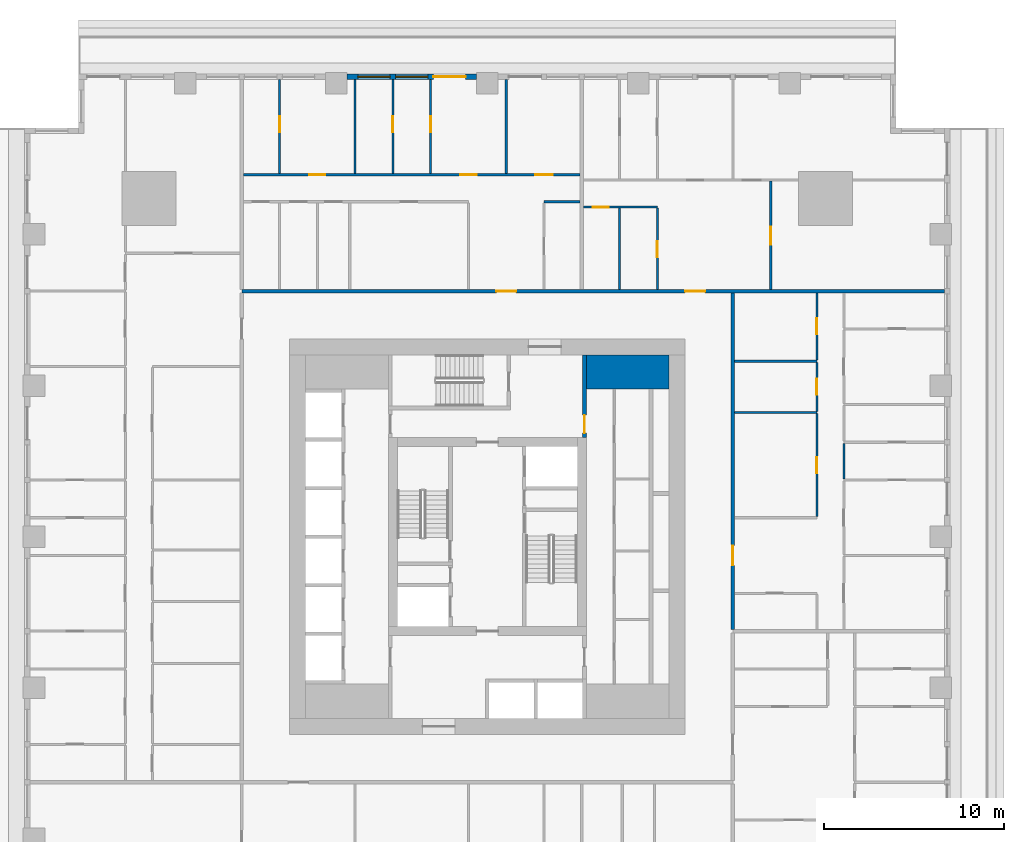
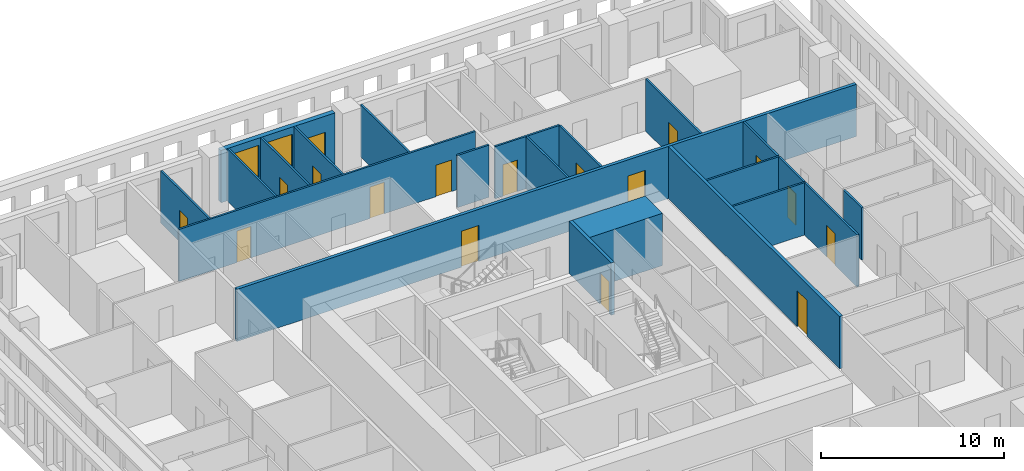
# One storey, part 8 of 15: 22 walls, 17 doors, 2 windows, 19 openings.
"""IFC4 building model written with IfcOpenShell, lengths in metres."""

import ifcopenshell
import ifcopenshell.guid

model = None  # the IFC model being written
_history = None  # IfcOwnerHistory: only IFC2X3 demands one
_inside = {}  # id of a spatial element -> (the spatial element, [elements in it])
_under = {}  # id of a project, library or spatial element -> (it, [spatial elements below it])
_declared = {}  # id of a project -> (the project, [libraries it declares])
_typed = {}  # id of a type object -> (the type object, [elements of that type])
_made_of = {}  # id of a material, layer set ... -> (it, [elements and type objects made of it])


def new_model(schema):
    """Start an empty IFC model of exactly this schema.

    Asked for "IFC4X3", IfcOpenShell would pick the latest addendum, in which some entities
    have other attributes; the version numbers below select the first issue.
    IFC2X3 requires an IfcOwnerHistory on every rooted entity: one is made here for all.
    """
    global model, _history
    if schema == "IFC4X3":
        model = ifcopenshell.file(schema_version=(4, 3, 0, 0))
    else:
        model = ifcopenshell.file(schema=schema)
    _inside.clear()
    _under.clear()
    _declared.clear()
    _typed.clear()
    _made_of.clear()
    _history = None
    if model.schema == "IFC2X3":
        org = make("IfcOrganization", Name="unknown")
        user = make(
            "IfcPersonAndOrganization",
            ThePerson=make("IfcPerson", FamilyName="unknown"),
            TheOrganization=org,
        )
        app = make(
            "IfcApplication",
            ApplicationDeveloper=org,
            Version="unknown",
            ApplicationFullName="unknown",
            ApplicationIdentifier="unknown",
        )
        _history = make(
            "IfcOwnerHistory",
            OwningUser=user,
            OwningApplication=app,
            ChangeAction="ADDED",
            CreationDate=0,
        )
    return model


def make(cls, **values):
    """One entity of the class cls with the attributes given. An attribute that is None is left unset."""
    return model.create_entity(
        cls, **{name: value for name, value in values.items() if value is not None}
    )


def rooted(cls, **values):
    """An entity with a GlobalId (a new one), such as an element, a storey or a relation."""
    return make(cls, GlobalId=ifcopenshell.guid.new(), OwnerHistory=_history, **values)


def si_unit(unit_type, name, prefix=None):
    """IfcSIUnit, for example si_unit("LENGTHUNIT", "METRE", prefix="MILLI")."""
    return make("IfcSIUnit", UnitType=unit_type, Prefix=prefix, Name=name)


def assignment(units):
    """IfcUnitAssignment: the units of a project."""
    return None if units is None else make("IfcUnitAssignment", Units=units)


def point(xyz):
    """IfcCartesianPoint."""
    return None if xyz is None else make("IfcCartesianPoint", Coordinates=xyz)


def direction(xyz):
    """IfcDirection."""
    return None if xyz is None else make("IfcDirection", DirectionRatios=xyz)


def frame(location, z_axis=None, x_axis=None):
    """IfcAxis2Placement3D, a coordinate frame: its origin and axes. An axis left out is left unset."""
    return make(
        "IfcAxis2Placement3D",
        Location=point(location),
        Axis=direction(z_axis),
        RefDirection=direction(x_axis),
    )


def frame_2d(location, x_axis=None):
    """IfcAxis2Placement2D, a coordinate frame in the plane: its origin and x axis."""
    return make(
        "IfcAxis2Placement2D", Location=point(location), RefDirection=direction(x_axis)
    )


def origin():
    """The frame at (0, 0, 0) with its axes left unset."""
    return frame((0.0, 0.0, 0.0))


def place(relative_to, where):
    """IfcLocalPlacement: puts the frame where relative to a parent placement (None: the world)."""
    return make(
        "IfcLocalPlacement", PlacementRelTo=relative_to, RelativePlacement=where
    )


def context(
    kind, dimensions, precision=None, world=None, true_north=None, identifier=None
):
    """IfcGeometricRepresentationContext, for example the 3D "Model" context."""
    return make(
        "IfcGeometricRepresentationContext",
        ContextIdentifier=identifier,
        ContextType=kind,
        CoordinateSpaceDimension=dimensions,
        Precision=precision,
        WorldCoordinateSystem=world,
        TrueNorth=true_north,
    )


def subcontext(parent, identifier, kind, view, scale=None):
    """IfcGeometricRepresentationSubContext, for example "Body" below "Model"."""
    return make(
        "IfcGeometricRepresentationSubContext",
        ContextIdentifier=identifier,
        ContextType=kind,
        ParentContext=parent,
        TargetScale=scale,
        TargetView=view,
    )


def project(units=None, contexts=None):
    """IfcProject with its units and contexts."""
    return rooted(
        "IfcProject",
        Name="project",
        RepresentationContexts=contexts,
        UnitsInContext=assignment(units),
    )


def spatial(cls, under=None, at=None, **own):
    """A site, building, storey or space (cls), placed at a placement, below another one or the project."""
    s = rooted(cls, ObjectPlacement=at, **own)
    if under is not None:
        _under.setdefault(under.id(), (under, []))[1].append(s)
    return s


def profile(cls, at=None, kind="AREA", **sizes):
    """A parametric profile (cls). Its sizes go by their IFC names, for example OverallWidth=200.0."""
    return make(cls, ProfileType=kind, Position=at, **sizes)


def rectangle(**sizes):
    """IfcRectangleProfileDef."""
    return profile("IfcRectangleProfileDef", **sizes)


def extrude(swept, where, along, depth):
    """IfcExtrudedAreaSolid: the profile swept, set in the frame where, extruded along a direction by depth."""
    return make(
        "IfcExtrudedAreaSolid",
        SweptArea=swept,
        Position=where,
        ExtrudedDirection=direction(along),
        Depth=depth,
    )


def shape(context_of_items, identifier, shape_type, items):
    """IfcShapeRepresentation: the items that make up one representation, for example the "Body"."""
    return make(
        "IfcShapeRepresentation",
        ContextOfItems=context_of_items,
        RepresentationIdentifier=identifier,
        RepresentationType=shape_type,
        Items=items,
    )


def material(Name=None, Category=None):
    """IfcMaterial."""
    return make("IfcMaterial", Name=Name, Category=Category)


def layer(
    of_material, thickness, ventilated=None, Name=None, Category=None, Priority=None
):
    """IfcMaterialLayer: one layer of a wall or slab, of a material (None: an air gap)."""
    return make(
        "IfcMaterialLayer",
        Material=of_material,
        LayerThickness=thickness,
        IsVentilated=ventilated,
        Name=Name,
        Category=Category,
        Priority=Priority,
    )


def layer_set(layers, Name=None):
    """IfcMaterialLayerSet."""
    return make("IfcMaterialLayerSet", MaterialLayers=layers, LayerSetName=Name)


def made_of(thing, what):
    """Note that an element or type object is made of a material, layer set ...; save() writes the relation."""
    if what is not None:
        _made_of.setdefault(what.id(), (what, []))[1].append(thing)
    return thing


def type_object(cls, material=None, **own):
    """A type object (cls), such as IfcWallType, which elements share."""
    return made_of(rooted(cls, **own), material)


def element(
    cls,
    number,
    at=None,
    inside=None,
    cuts=None,
    type_object=None,
    material=None,
    context=None,
    identifier="Body",
    shape_type=None,
    held_by="IfcProductDefinitionShape",
    body=None,
    shapes=None,
    **own,
):
    """One element of the class cls, such as IfcWall. Its Tag is "e" and its number.

    at: its placement. inside: the storey or other place that contains it. cuts: it is an
    opening in that element (IfcRelVoidsElement). A single representation is given by context,
    identifier, shape_type and body (its items); several are given by shapes. held_by: the class
    of the entity that holds the representations. save() writes the other relations.
    """
    e = rooted(cls, Tag="e%d" % number, ObjectPlacement=at, **own)
    if body is not None:
        shapes = [shape(context, identifier, shape_type, body)]
    if shapes is not None:
        e.Representation = make(held_by, Representations=shapes)
    if inside is not None:
        _inside.setdefault(inside.id(), (inside, []))[1].append(e)
    if cuts is not None:
        rooted(
            "IfcRelVoidsElement", RelatingBuildingElement=cuts, RelatedOpeningElement=e
        )
    if type_object is not None:
        _typed.setdefault(type_object.id(), (type_object, []))[1].append(e)
    return made_of(e, material)


def fill(opening, filler):
    """IfcRelFillsElement: the door or window that sits in an opening."""
    return rooted(
        "IfcRelFillsElement",
        RelatingOpeningElement=opening,
        RelatedBuildingElement=filler,
    )


def aggregate(whole, parts):
    """IfcRelAggregates: a whole, such as a stair, and the parts it consists of."""
    return rooted("IfcRelAggregates", RelatingObject=whole, RelatedObjects=parts)


def save(model, path):
    """Write the relations noted so far, then the file.

    IfcRelAggregates (storeys below a building ...), IfcRelContainedInSpatialStructure (elements
    in a storey), IfcRelDefinesByType, IfcRelAssociatesMaterial and IfcRelDeclares: one each for
    every whole, place, type object, material and project.
    """
    for whole, parts in _under.values():
        aggregate(whole, parts)
    for where, things in _inside.values():
        rooted(
            "IfcRelContainedInSpatialStructure",
            RelatedElements=things,
            RelatingStructure=where,
        )
    for kind, things in _typed.values():
        rooted("IfcRelDefinesByType", RelatedObjects=things, RelatingType=kind)
    for what, things in _made_of.values():
        rooted("IfcRelAssociatesMaterial", RelatedObjects=things, RelatingMaterial=what)
    for by, libraries in _declared.values():
        rooted("IfcRelDeclares", RelatingContext=by, RelatedDefinitions=libraries)
    model.write(path)


model = new_model("IFC4")

# Units and contexts
model_context = context("Model", 3, precision=1e-05, world=origin(), true_north=direction((0.0, 1.0)))
body_context = subcontext(model_context, "Body", "Model", "MODEL_VIEW")
ifc_project = project(units=[si_unit("LENGTHUNIT", "METRE"), si_unit("AREAUNIT", "SQUARE_METRE"), si_unit("VOLUMEUNIT", "CUBIC_METRE"), si_unit("PLANEANGLEUNIT", "RADIAN"), si_unit("MASSUNIT", "GRAM", prefix="KILO")], contexts=[model_context])

# Site, building, storey
site_placement = place(None, origin())
site = spatial("IfcSite", under=ifc_project, at=site_placement, CompositionType="ELEMENT")
building_placement = place(site_placement, origin())
building = spatial("IfcBuilding", under=site, at=building_placement, Name="Khepri Terraces", CompositionType="ELEMENT")
storey_placement = place(building_placement, frame((0.0, 0.0, 34.800048828125)))
storey = spatial("IfcBuildingStorey", under=building, at=storey_placement, Name="L07", CompositionType="ELEMENT", Elevation=34.800048828125)

# Wall
ifc_material_1 = material(Name="Concrete C80/95", Category="concrete")
ifc_layer_1 = layer(ifc_material_1, 1.89990234375, Name="Concrete C80/95", Category="concrete")
ifc_layer_set_1 = layer_set([ifc_layer_1], Name="Concrete C80/95")
wall_type_1 = type_object("IfcWallType", Name="Core wall 1900 C80/95", PredefinedType="SHEAR", material=ifc_layer_set_1)
wall_1_placement = place(storey_placement, frame((5.5, 9.14990234375, 0.0), z_axis=(0.0, 0.0, 1.0), x_axis=(1.0, 0.0, 0.0)))
element("IfcWall", 1, at=wall_1_placement, inside=storey, type_object=wall_type_1, Name="Core wall PR04 L07", PredefinedType="SHEAR", context=body_context, shape_type="SweptSolid", body=[
    extrude(rectangle(XDim=4.60009765625, YDim=1.89990234375, at=frame_2d((2.300048828125, 0.0))), origin(), (0.0, 0.0, 1.0), 3.47998046875),
])

# Wall, opening, door
ifc_material_2 = material(Name="Fire-rated gypsum board partition")
ifc_layer_2 = layer(ifc_material_2, 0.199951171875, Name="Fire-rated gypsum board partition")
ifc_layer_set_2 = layer_set([ifc_layer_2], Name="Fire-rated gypsum board partition")
wall_type_2 = type_object("IfcWallType", Name="WL-CORE-PART-200", PredefinedType="PARTITIONING", material=ifc_layer_set_2)
wall_2_placement = place(storey_placement, frame((5.39990234375, 5.5, 0.0), z_axis=(0.0, 0.0, 1.0), x_axis=(0.0, 1.0, 0.0)))
wall_2 = element("IfcWall", 2, at=wall_2_placement, inside=storey, type_object=wall_type_2, Name="Core partition PT08 L07", PredefinedType="PARTITIONING", context=body_context, shape_type="SweptSolid", body=[
    extrude(rectangle(XDim=4.60009765625, YDim=0.199951171875, at=frame_2d((2.300048828125, 0.0))), origin(), (0.0, 0.0, 1.0), 3.47998046875),
])
opening_1_placement = place(wall_2_placement, frame((0.25, 0.0, 0.0)))
opening_1 = element("IfcOpeningElement", 3, at=opening_1_placement, cuts=wall_2, Name="Opening L07-C17", PredefinedType="OPENING", context=body_context, shape_type="SweptSolid", body=[
    extrude(rectangle(XDim=1.0, YDim=2.10009765625, at=frame_2d((0.5, 1.050048828125))), frame((0.0, 0.10986328125, 0.0), z_axis=(0.0, -1.0, 0.0), x_axis=(1.0, 0.0, 0.0)), (0.0, 0.0, 1.0), 0.219970703125),
])
ifc_material_3 = material(Name="Painted steel", Category="steel")
door_type_1 = type_object("IfcDoorType", Name="DR-CORE-LOBBY-1000", OperationType="NOTDEFINED", PredefinedType="DOOR", material=ifc_material_3)
door_1_placement = place(opening_1_placement, origin())
door_1 = element("IfcDoor", 4, at=door_1_placement, inside=storey, type_object=door_type_1, Name="Lobby door L07-C17", OperationType="SINGLE_SWING_LEFT", OverallHeight=2.10009765625, OverallWidth=1.0, PredefinedType="DOOR", context=body_context, shape_type="SweptSolid", body=[
    extrude(rectangle(XDim=1.0, YDim=2.10009765625, at=frame_2d((0.5, 1.050048828125))), frame((0.0, 0.02490234375, 0.0), z_axis=(0.0, -1.0, 0.0), x_axis=(1.0, 0.0, 0.0)), (0.0, 0.0, 1.0), 0.050048828125),
])
fill(opening_1, door_1)

ifc_material_4 = material(Name="Fire-rated gypsum plasterboard partition, mineral wool")
ifc_layer_3 = layer(ifc_material_4, 0.199951171875, Name="Fire-rated gypsum plasterboard partition, mineral wool")
ifc_layer_set_3 = layer_set([ifc_layer_3], Name="Fire-rated gypsum plasterboard partition, mineral wool")
wall_type_3 = type_object("IfcWallType", Name="WL-CORR-200", PredefinedType="PARTITIONING", material=ifc_layer_set_3)
wall_3_placement = place(storey_placement, frame((13.64990234375, -5.14990234375, 0.0), z_axis=(0.0, 0.0, 1.0), x_axis=(0.0, 1.0, 0.0)))
wall_3 = element("IfcWall", 5, at=wall_3_placement, inside=storey, type_object=wall_type_3, Name="Partition P-045 L07", PredefinedType="PARTITIONING", context=body_context, shape_type="SweptSolid", body=[
    extrude(rectangle(XDim=18.699951171875, YDim=0.199951171875, at=frame_2d((9.35009765625, 0.0))), origin(), (0.0, 0.0, 1.0), 3.47998046875),
])
opening_2_placement = place(wall_3_placement, frame((3.550048828125, 0.0, 0.0)))
opening_2 = element("IfcOpeningElement", 6, at=opening_2_placement, cuts=wall_3, Name="Opening D1", PredefinedType="OPENING", context=body_context, shape_type="SweptSolid", body=[
    extrude(rectangle(XDim=1.10009765625, YDim=2.39990234375, at=frame_2d((0.550048828125, 1.199951171875))), frame((0.0, 0.10986328125, 0.0), z_axis=(0.0, -1.0, 0.0), x_axis=(1.0, 0.0, 0.0)), (0.0, 0.0, 1.0), 0.219970703125),
])
ifc_material_5 = material(Name="Solid-core timber door leaf, flat entrance door", Category="wood")
door_type_2 = type_object("IfcDoorType", Name="DR-ENT-1100", OperationType="NOTDEFINED", PredefinedType="DOOR", material=ifc_material_5)
door_2_placement = place(opening_2_placement, frame((1.10009765625, 0.0, 0.0), z_axis=(0.0, 0.0, 1.0), x_axis=(-1.0, 0.0, 0.0)))
door_2 = element("IfcDoor", 7, at=door_2_placement, inside=storey, type_object=door_type_2, Name="Flat B2 entrance door", OperationType="SINGLE_SWING_RIGHT", OverallHeight=2.39990234375, OverallWidth=1.10009765625, PredefinedType="DOOR", context=body_context, shape_type="SweptSolid", body=[
    extrude(rectangle(XDim=1.10009765625, YDim=2.39990234375, at=frame_2d((0.550048828125, 1.199951171875))), frame((0.0, 0.02490234375, 0.0), z_axis=(0.0, -1.0, 0.0), x_axis=(1.0, 0.0, 0.0)), (0.0, 0.0, 1.0), 0.050048828125),
])
fill(opening_2, door_2)

# Wall, openings, doors
wall_4_placement = place(storey_placement, frame((-13.64990234375, 13.64990234375, 0.0), z_axis=(0.0, 0.0, 1.0), x_axis=(1.0, 0.0, 0.0)))
wall_4 = element("IfcWall", 8, at=wall_4_placement, inside=storey, type_object=wall_type_3, Name="Partition P-081 L07", PredefinedType="PARTITIONING", context=body_context, shape_type="SweptSolid", body=[
    extrude(rectangle(XDim=39.06982421875, YDim=0.199951171875, at=frame_2d((19.534912109375, 0.0))), origin(), (0.0, 0.0, 1.0), 3.47998046875),
])
opening_3_placement = place(wall_4_placement, frame((24.64990234375, 0.0, 0.0)))
opening_3 = element("IfcOpeningElement", 9, at=opening_3_placement, cuts=wall_4, Name="Opening D1", PredefinedType="OPENING", context=body_context, shape_type="SweptSolid", body=[
    extrude(rectangle(XDim=1.10009765625, YDim=2.39990234375, at=frame_2d((0.550048828125, 1.199951171875))), frame((0.0, 0.10986328125, 0.0), z_axis=(0.0, -1.0, 0.0), x_axis=(1.0, 0.0, 0.0)), (0.0, 0.0, 1.0), 0.219970703125),
])
opening_4_placement = place(wall_4_placement, frame((14.14990234375, 0.0, 0.0)))
opening_4 = element("IfcOpeningElement", 10, at=opening_4_placement, cuts=wall_4, Name="Opening D1", PredefinedType="OPENING", context=body_context, shape_type="SweptSolid", body=[
    extrude(rectangle(XDim=1.10009765625, YDim=2.39990234375, at=frame_2d((0.550048828125, 1.199951171875))), frame((0.0, 0.10986328125, 0.0), z_axis=(0.0, -1.0, 0.0), x_axis=(1.0, 0.0, 0.0)), (0.0, 0.0, 1.0), 0.219970703125),
])
door_3_placement = place(opening_3_placement, origin())
door_3 = element("IfcDoor", 11, at=door_3_placement, inside=storey, type_object=door_type_2, Name="Flat C1 entrance door", OperationType="SINGLE_SWING_RIGHT", OverallHeight=2.39990234375, OverallWidth=1.10009765625, PredefinedType="DOOR", context=body_context, shape_type="SweptSolid", body=[
    extrude(rectangle(XDim=1.10009765625, YDim=2.39990234375, at=frame_2d((0.550048828125, 1.199951171875))), frame((0.0, 0.02490234375, 0.0), z_axis=(0.0, -1.0, 0.0), x_axis=(1.0, 0.0, 0.0)), (0.0, 0.0, 1.0), 0.050048828125),
])
fill(opening_3, door_3)
door_4_placement = place(opening_4_placement, origin())
door_4 = element("IfcDoor", 12, at=door_4_placement, inside=storey, type_object=door_type_2, Name="Flat C2 entrance door", OperationType="SINGLE_SWING_LEFT", OverallHeight=2.39990234375, OverallWidth=1.10009765625, PredefinedType="DOOR", context=body_context, shape_type="SweptSolid", body=[
    extrude(rectangle(XDim=1.10009765625, YDim=2.39990234375, at=frame_2d((0.550048828125, 1.199951171875))), frame((0.0, 0.02490234375, 0.0), z_axis=(0.0, -1.0, 0.0), x_axis=(1.0, 0.0, 0.0)), (0.0, 0.0, 1.0), 0.050048828125),
])
fill(opening_4, door_4)

# Wall, openings, door, windows
ifc_material_6 = material(Name="Precast concrete C50/60 warm stone", Category="masonry")
ifc_layer_4 = layer(ifc_material_6, 0.300048828125, Name="Precast concrete C50/60 warm stone", Category="masonry")
ifc_layer_set_4 = layer_set([ifc_layer_4], Name="Precast concrete C50/60 warm stone")
wall_type_4 = type_object("IfcWallType", Name="WL-EXT-PRECAST-300", PredefinedType="STANDARD", material=ifc_layer_set_4)
wall_5_placement = place(storey_placement, frame((-0.60009765625, 25.570068359375, 0.0), z_axis=(0.0, 0.0, 1.0), x_axis=(-1.0, 0.0, 0.0)))
wall_5 = element("IfcWall", 13, at=wall_5_placement, inside=storey, type_object=wall_type_4, Name="External wall L07 N", PredefinedType="STANDARD", context=body_context, shape_type="SweptSolid", body=[
    extrude(rectangle(XDim=7.199951171875, YDim=0.300048828125, at=frame_2d((3.60009765625, 0.0))), origin(), (0.0, 0.0, 1.0), 3.47998046875),
])
opening_5_placement = place(wall_5_placement, frame((0.60009765625, 0.0, 0.0)))
opening_5 = element("IfcOpeningElement", 14, at=opening_5_placement, cuts=wall_5, Name="Opening ED-L07-11", PredefinedType="OPENING", context=body_context, shape_type="SweptSolid", body=[
    extrude(rectangle(XDim=1.800048828125, YDim=2.39990234375, at=frame_2d((0.89990234375, 1.199951171875))), frame((0.0, 0.16015625, 0.0), z_axis=(0.0, -1.0, 0.0), x_axis=(1.0, 0.0, 0.0)), (0.0, 0.0, 1.0), 0.320068359375),
])
opening_6_placement = place(wall_5_placement, frame((2.699951171875, 0.0, 0.89990234375)))
opening_6 = element("IfcOpeningElement", 15, at=opening_6_placement, cuts=wall_5, Name="Opening W1", PredefinedType="OPENING", context=body_context, shape_type="SweptSolid", body=[
    extrude(rectangle(XDim=1.800048828125, YDim=2.10009765625, at=frame_2d((0.89990234375, 1.050048828125))), frame((0.0, 0.16015625, 0.0), z_axis=(0.0, -1.0, 0.0), x_axis=(1.0, 0.0, 0.0)), (0.0, 0.0, 1.0), 0.320068359375),
])
opening_7_placement = place(wall_5_placement, frame((4.800048828125, 0.0, 0.89990234375)))
opening_7 = element("IfcOpeningElement", 16, at=opening_7_placement, cuts=wall_5, Name="Opening W1", PredefinedType="OPENING", context=body_context, shape_type="SweptSolid", body=[
    extrude(rectangle(XDim=1.800048828125, YDim=2.10009765625, at=frame_2d((0.89990234375, 1.050048828125))), frame((0.0, 0.16015625, 0.0), z_axis=(0.0, -1.0, 0.0), x_axis=(1.0, 0.0, 0.0)), (0.0, 0.0, 1.0), 0.320068359375),
])
ifc_material_7 = material(Name="Anodised aluminium bronze glazed door", Category="aluminium")
door_type_3 = type_object("IfcDoorType", Name="DR-BAL-SLIDE-1800x2400", OperationType="NOTDEFINED", PredefinedType="DOOR", material=ifc_material_7)
door_5_placement = place(opening_5_placement, origin())
door_5 = element("IfcDoor", 17, at=door_5_placement, inside=storey, type_object=door_type_3, Name="Balcony door L07 N", OperationType="SLIDING_TO_LEFT", OverallHeight=2.39990234375, OverallWidth=1.800048828125, PredefinedType="DOOR", context=body_context, shape_type="SweptSolid", body=[
    extrude(rectangle(XDim=1.800048828125, YDim=2.39990234375, at=frame_2d((0.89990234375, 1.199951171875))), frame((0.0, 0.02490234375, 0.0), z_axis=(0.0, -1.0, 0.0), x_axis=(1.0, 0.0, 0.0)), (0.0, 0.0, 1.0), 0.050048828125),
])
fill(opening_5, door_5)
ifc_material_8 = material(Name="Clear glass", Category="glass")
window_type = type_object("IfcWindowType", Name="WIN-RES-1800x2100", PartitioningType="SINGLE_PANEL", PredefinedType="WINDOW", material=ifc_material_8)
window_1_placement = place(opening_6_placement, origin())
window_1 = element("IfcWindow", 18, at=window_1_placement, inside=storey, type_object=window_type, Name="Window L07 N", OverallHeight=2.10009765625, OverallWidth=1.800048828125, PartitioningType="SINGLE_PANEL", PredefinedType="WINDOW", context=body_context, shape_type="SweptSolid", body=[
    extrude(rectangle(XDim=1.800048828125, YDim=2.10009765625, at=frame_2d((0.89990234375, 1.050048828125))), frame((0.0, 0.030029296875, 0.0), z_axis=(0.0, -1.0, 0.0), x_axis=(1.0, 0.0, 0.0)), (0.0, 0.0, 1.0), 0.06005859375),
])
fill(opening_6, window_1)
window_2_placement = place(opening_7_placement, origin())
window_2 = element("IfcWindow", 19, at=window_2_placement, inside=storey, type_object=window_type, Name="Window L07 N", OverallHeight=2.10009765625, OverallWidth=1.800048828125, PartitioningType="SINGLE_PANEL", PredefinedType="WINDOW", context=body_context, shape_type="SweptSolid", body=[
    extrude(rectangle(XDim=1.800048828125, YDim=2.10009765625, at=frame_2d((0.89990234375, 1.050048828125))), frame((0.0, 0.030029296875, 0.0), z_axis=(0.0, -1.0, 0.0), x_axis=(1.0, 0.0, 0.0)), (0.0, 0.0, 1.0), 0.06005859375),
])
fill(opening_7, window_2)

# Wall, opening, door
ifc_material_9 = material(Name="Gypsum plasterboard partition")
ifc_layer_5 = layer(ifc_material_9, 0.1201171875, Name="Gypsum plasterboard partition")
ifc_layer_set_5 = layer_set([ifc_layer_5], Name="Gypsum plasterboard partition")
wall_type_5 = type_object("IfcWallType", Name="WL-PART-120", PredefinedType="PARTITIONING", material=ifc_layer_set_5)
wall_6_placement = place(storey_placement, frame((18.320068359375, 1.110107421875, 0.0), z_axis=(0.0, 0.0, 1.0), x_axis=(0.0, 1.0, 0.0)))
wall_6 = element("IfcWall", 20, at=wall_6_placement, inside=storey, type_object=wall_type_5, Name="Partition P-060 L07", PredefinedType="PARTITIONING", context=body_context, shape_type="SweptSolid", body=[
    extrude(rectangle(XDim=5.72998046875, YDim=0.1201171875, at=frame_2d((2.864990234375, 0.0))), origin(), (0.0, 0.0, 1.0), 3.47998046875),
])
opening_8_placement = place(wall_6_placement, frame((2.4150390625, 0.0, 0.0)))
opening_8 = element("IfcOpeningElement", 21, at=opening_8_placement, cuts=wall_6, Name="Opening D3", PredefinedType="OPENING", context=body_context, shape_type="SweptSolid", body=[
    extrude(rectangle(XDim=0.89990234375, YDim=2.10009765625, at=frame_2d((0.449951171875, 1.050048828125))), frame((0.0, 0.070068359375, 0.0), z_axis=(0.0, -1.0, 0.0), x_axis=(1.0, 0.0, 0.0)), (0.0, 0.0, 1.0), 0.14013671875),
])
ifc_material_10 = material(Name="Timber door leaf", Category="wood")
door_type_4 = type_object("IfcDoorType", Name="DR-INT-900", OperationType="NOTDEFINED", PredefinedType="DOOR", material=ifc_material_10)
door_6_placement = place(opening_8_placement, origin())
door_6 = element("IfcDoor", 22, at=door_6_placement, inside=storey, type_object=door_type_4, Name="Door Kitchen", OperationType="SINGLE_SWING_RIGHT", OverallHeight=2.10009765625, OverallWidth=0.89990234375, PredefinedType="DOOR", context=body_context, shape_type="SweptSolid", body=[
    extrude(rectangle(XDim=0.89990234375, YDim=2.10009765625, at=frame_2d((0.449951171875, 1.050048828125))), frame((0.0, 0.02490234375, 0.0), z_axis=(0.0, -1.0, 0.0), x_axis=(1.0, 0.0, 0.0)), (0.0, 0.0, 1.0), 0.050048828125),
])
fill(opening_8, door_6)

# Walls
wall_7_placement = place(storey_placement, frame((19.820068359375, 3.2099609375, 0.0), z_axis=(0.0, 0.0, 1.0), x_axis=(0.0, 1.0, 0.0)))
element("IfcWall", 23, at=wall_7_placement, inside=storey, type_object=wall_type_5, Name="Partition P-066 L07", PredefinedType="PARTITIONING", context=body_context, shape_type="SweptSolid", body=[
    extrude(rectangle(XDim=1.97998046875, YDim=0.1201171875, at=frame_2d((0.989990234375, 0.0))), origin(), (0.0, 0.0, 1.0), 3.47998046875),
])
wall_8_placement = place(storey_placement, frame((13.75, 6.89990234375, 0.0), z_axis=(0.0, 0.0, 1.0), x_axis=(1.0, 0.0, 0.0)))
element("IfcWall", 24, at=wall_8_placement, inside=storey, type_object=wall_type_5, Name="Partition P-069 L07", PredefinedType="PARTITIONING", context=body_context, shape_type="SweptSolid", body=[
    extrude(rectangle(XDim=4.570068359375, YDim=0.1201171875, at=frame_2d((2.28515625, 0.0))), origin(), (0.0, 0.0, 1.0), 3.47998046875),
])

# Wall, opening, door
wall_9_placement = place(storey_placement, frame((18.320068359375, 6.9599609375, 0.0), z_axis=(0.0, 0.0, 1.0), x_axis=(0.0, 1.0, 0.0)))
wall_9 = element("IfcWall", 25, at=wall_9_placement, inside=storey, type_object=wall_type_5, Name="Partition P-070 L07", PredefinedType="PARTITIONING", context=body_context, shape_type="SweptSolid", body=[
    extrude(rectangle(XDim=2.72998046875, YDim=0.1201171875, at=frame_2d((1.364990234375, 0.0))), origin(), (0.0, 0.0, 1.0), 3.47998046875),
])
opening_9_placement = place(wall_9_placement, frame((0.9150390625, 0.0, 0.0)))
opening_9 = element("IfcOpeningElement", 26, at=opening_9_placement, cuts=wall_9, Name="Opening D4", PredefinedType="OPENING", context=body_context, shape_type="SweptSolid", body=[
    extrude(rectangle(XDim=0.89990234375, YDim=2.10009765625, at=frame_2d((0.449951171875, 1.050048828125))), frame((0.0, 0.070068359375, 0.0), z_axis=(0.0, -1.0, 0.0), x_axis=(1.0, 0.0, 0.0)), (0.0, 0.0, 1.0), 0.14013671875),
])
ifc_material_11 = material(Name="Timber door leaf, moisture resistant", Category="wood")
door_type_5 = type_object("IfcDoorType", Name="DR-WET-900", OperationType="NOTDEFINED", PredefinedType="DOOR", material=ifc_material_11)
door_7_placement = place(opening_9_placement, origin())
door_7 = element("IfcDoor", 27, at=door_7_placement, inside=storey, type_object=door_type_5, Name="Door Powder Room", OperationType="SINGLE_SWING_LEFT", OverallHeight=2.10009765625, OverallWidth=0.89990234375, PredefinedType="DOOR", context=body_context, shape_type="SweptSolid", body=[
    extrude(rectangle(XDim=0.89990234375, YDim=2.10009765625, at=frame_2d((0.449951171875, 1.050048828125))), frame((0.0, 0.02490234375, 0.0), z_axis=(0.0, -1.0, 0.0), x_axis=(1.0, 0.0, 0.0)), (0.0, 0.0, 1.0), 0.050048828125),
])
fill(opening_9, door_7)

# Wall
wall_10_placement = place(storey_placement, frame((13.75, 9.75, 0.0), z_axis=(0.0, 0.0, 1.0), x_axis=(1.0, 0.0, 0.0)))
element("IfcWall", 28, at=wall_10_placement, inside=storey, type_object=wall_type_5, Name="Partition P-076 L07", PredefinedType="PARTITIONING", context=body_context, shape_type="SweptSolid", body=[
    extrude(rectangle(XDim=4.570068359375, YDim=0.1201171875, at=frame_2d((2.28515625, 0.0))), origin(), (0.0, 0.0, 1.0), 3.47998046875),
])

# Wall, opening, door
wall_11_placement = place(storey_placement, frame((18.320068359375, 9.81005859375, 0.0), z_axis=(0.0, 0.0, 1.0), x_axis=(0.0, 1.0, 0.0)))
wall_11 = element("IfcWall", 29, at=wall_11_placement, inside=storey, type_object=wall_type_5, Name="Partition P-077 L07", PredefinedType="PARTITIONING", context=body_context, shape_type="SweptSolid", body=[
    extrude(rectangle(XDim=3.739990234375, YDim=0.1201171875, at=frame_2d((1.8701171875, 0.0))), origin(), (0.0, 0.0, 1.0), 3.47998046875),
])
opening_10_placement = place(wall_11_placement, frame((1.43994140625, 0.0, 0.0)))
opening_10 = element("IfcOpeningElement", 30, at=opening_10_placement, cuts=wall_11, Name="Opening D4", PredefinedType="OPENING", context=body_context, shape_type="SweptSolid", body=[
    extrude(rectangle(XDim=0.89990234375, YDim=2.10009765625, at=frame_2d((0.449951171875, 1.050048828125))), frame((0.0, 0.070068359375, 0.0), z_axis=(0.0, -1.0, 0.0), x_axis=(1.0, 0.0, 0.0)), (0.0, 0.0, 1.0), 0.14013671875),
])
door_8_placement = place(opening_10_placement, origin())
door_8 = element("IfcDoor", 31, at=door_8_placement, inside=storey, type_object=door_type_5, Name="Door Guest Bathroom", OperationType="SINGLE_SWING_RIGHT", OverallHeight=2.10009765625, OverallWidth=0.89990234375, PredefinedType="DOOR", context=body_context, shape_type="SweptSolid", body=[
    extrude(rectangle(XDim=0.89990234375, YDim=2.10009765625, at=frame_2d((0.449951171875, 1.050048828125))), frame((0.0, 0.02490234375, 0.0), z_axis=(0.0, -1.0, 0.0), x_axis=(1.0, 0.0, 0.0)), (0.0, 0.0, 1.0), 0.050048828125),
])
fill(opening_10, door_8)

# Wall
wall_12_placement = place(storey_placement, frame((7.35009765625, 13.75, 0.0), z_axis=(0.0, 0.0, 1.0), x_axis=(0.0, 1.0, 0.0)))
element("IfcWall", 32, at=wall_12_placement, inside=storey, type_object=wall_type_5, Name="Partition P-090 L07", PredefinedType="PARTITIONING", context=body_context, shape_type="SweptSolid", body=[
    extrude(rectangle(XDim=4.510009765625, YDim=0.1201171875, at=frame_2d((2.2548828125, 0.0))), origin(), (0.0, 0.0, 1.0), 3.47998046875),
])

# Wall, opening, door
wall_13_placement = place(storey_placement, frame((9.449951171875, 13.75, 0.0), z_axis=(0.0, 0.0, 1.0), x_axis=(0.0, 1.0, 0.0)))
wall_13 = element("IfcWall", 33, at=wall_13_placement, inside=storey, type_object=wall_type_5, Name="Partition P-091 L07", PredefinedType="PARTITIONING", context=body_context, shape_type="SweptSolid", body=[
    extrude(rectangle(XDim=4.510009765625, YDim=0.1201171875, at=frame_2d((2.2548828125, 0.0))), origin(), (0.0, 0.0, 1.0), 3.47998046875),
])
opening_11_placement = place(wall_13_placement, frame((1.784912109375, 0.0, 0.0)))
opening_11 = element("IfcOpeningElement", 34, at=opening_11_placement, cuts=wall_13, Name="Opening D4", PredefinedType="OPENING", context=body_context, shape_type="SweptSolid", body=[
    extrude(rectangle(XDim=0.89990234375, YDim=2.10009765625, at=frame_2d((0.449951171875, 1.050048828125))), frame((0.0, 0.070068359375, 0.0), z_axis=(0.0, -1.0, 0.0), x_axis=(1.0, 0.0, 0.0)), (0.0, 0.0, 1.0), 0.14013671875),
])
door_9_placement = place(opening_11_placement, origin())
door_9 = element("IfcDoor", 35, at=door_9_placement, inside=storey, type_object=door_type_5, Name="Door Guest Bathroom", OperationType="SINGLE_SWING_LEFT", OverallHeight=2.10009765625, OverallWidth=0.89990234375, PredefinedType="DOOR", context=body_context, shape_type="SweptSolid", body=[
    extrude(rectangle(XDim=0.89990234375, YDim=2.10009765625, at=frame_2d((0.449951171875, 1.050048828125))), frame((0.0, 0.02490234375, 0.0), z_axis=(0.0, -1.0, 0.0), x_axis=(1.0, 0.0, 0.0)), (0.0, 0.0, 1.0), 0.050048828125),
])
fill(opening_11, door_9)

wall_14_placement = place(storey_placement, frame((15.75, 13.75, 0.0), z_axis=(0.0, 0.0, 1.0), x_axis=(0.0, 1.0, 0.0)))
wall_14 = element("IfcWall", 36, at=wall_14_placement, inside=storey, type_object=wall_type_5, Name="Partition P-092 L07", PredefinedType="PARTITIONING", context=body_context, shape_type="SweptSolid", body=[
    extrude(rectangle(XDim=6.010009765625, YDim=0.1201171875, at=frame_2d((3.0048828125, 0.0))), origin(), (0.0, 0.0, 1.0), 3.47998046875),
])
opening_12_placement = place(wall_14_placement, frame((2.485107421875, 0.0, 0.0)))
opening_12 = element("IfcOpeningElement", 37, at=opening_12_placement, cuts=wall_14, Name="Opening D2", PredefinedType="OPENING", context=body_context, shape_type="SweptSolid", body=[
    extrude(rectangle(XDim=1.0, YDim=2.10009765625, at=frame_2d((0.5, 1.050048828125))), frame((0.0, 0.070068359375, 0.0), z_axis=(0.0, -1.0, 0.0), x_axis=(1.0, 0.0, 0.0)), (0.0, 0.0, 1.0), 0.14013671875),
])
ifc_material_12 = material(Name="Timber door leaf, living room door", Category="wood")
door_type_6 = type_object("IfcDoorType", Name="DR-INT-1000", OperationType="NOTDEFINED", PredefinedType="DOOR", material=ifc_material_12)
door_10_placement = place(opening_12_placement, frame((1.0, 0.0, 0.0), z_axis=(0.0, 0.0, 1.0), x_axis=(-1.0, 0.0, 0.0)))
door_10 = element("IfcDoor", 38, at=door_10_placement, inside=storey, type_object=door_type_6, Name="Door Family Room", OperationType="SINGLE_SWING_RIGHT", OverallHeight=2.10009765625, OverallWidth=1.0, PredefinedType="DOOR", context=body_context, shape_type="SweptSolid", body=[
    extrude(rectangle(XDim=1.0, YDim=2.10009765625, at=frame_2d((0.5, 1.050048828125))), frame((0.0, 0.02490234375, 0.0), z_axis=(0.0, -1.0, 0.0), x_axis=(1.0, 0.0, 0.0)), (0.0, 0.0, 1.0), 0.050048828125),
])
fill(opening_12, door_10)

wall_15_placement = place(storey_placement, frame((5.35009765625, 18.320068359375, 0.0), z_axis=(0.0, 0.0, 1.0), x_axis=(1.0, 0.0, 0.0)))
wall_15 = element("IfcWall", 39, at=wall_15_placement, inside=storey, type_object=wall_type_5, Name="Partition P-095 L07", PredefinedType="PARTITIONING", context=body_context, shape_type="SweptSolid", body=[
    extrude(rectangle(XDim=4.099853515625, YDim=0.1201171875, at=frame_2d((2.0498046875, 0.0))), origin(), (0.0, 0.0, 1.0), 3.47998046875),
])
opening_13_placement = place(wall_15_placement, frame((0.5, 0.0, 0.0)))
opening_13 = element("IfcOpeningElement", 40, at=opening_13_placement, cuts=wall_15, Name="Opening D3", PredefinedType="OPENING", context=body_context, shape_type="SweptSolid", body=[
    extrude(rectangle(XDim=0.89990234375, YDim=2.10009765625, at=frame_2d((0.449951171875, 1.050048828125))), frame((0.0, 0.070068359375, 0.0), z_axis=(0.0, -1.0, 0.0), x_axis=(1.0, 0.0, 0.0)), (0.0, 0.0, 1.0), 0.14013671875),
])
door_11_placement = place(opening_13_placement, frame((0.89990234375, 0.0, 0.0), z_axis=(0.0, 0.0, 1.0), x_axis=(-1.0, 0.0, 0.0)))
door_11 = element("IfcDoor", 41, at=door_11_placement, inside=storey, type_object=door_type_4, Name="Door Kitchen", OperationType="SINGLE_SWING_RIGHT", OverallHeight=2.10009765625, OverallWidth=0.89990234375, PredefinedType="DOOR", context=body_context, shape_type="SweptSolid", body=[
    extrude(rectangle(XDim=0.89990234375, YDim=2.10009765625, at=frame_2d((0.449951171875, 1.050048828125))), frame((0.0, 0.02490234375, 0.0), z_axis=(0.0, -1.0, 0.0), x_axis=(1.0, 0.0, 0.0)), (0.0, 0.0, 1.0), 0.050048828125),
])
fill(opening_13, door_11)

# Wall
wall_16_placement = place(storey_placement, frame((3.14990234375, 18.6201171875, 0.0), z_axis=(0.0, 0.0, 1.0), x_axis=(1.0, 0.0, 0.0)))
element("IfcWall", 42, at=wall_16_placement, inside=storey, type_object=wall_type_5, Name="Partition P-097 L07", PredefinedType="PARTITIONING", context=body_context, shape_type="SweptSolid", body=[
    extrude(rectangle(XDim=2.0, YDim=0.1201171875, at=frame_2d((1.0, 0.0))), origin(), (0.0, 0.0, 1.0), 3.47998046875),
])

# Wall, openings, doors
wall_17_placement = place(storey_placement, frame((-13.550048828125, 20.1201171875, 0.0), z_axis=(0.0, 0.0, 1.0), x_axis=(1.0, 0.0, 0.0)))
wall_17 = element("IfcWall", 43, at=wall_17_placement, inside=storey, type_object=wall_type_5, Name="Partition P-103 L07", PredefinedType="PARTITIONING", context=body_context, shape_type="SweptSolid", body=[
    extrude(rectangle(XDim=18.699951171875, YDim=0.1201171875, at=frame_2d((9.35009765625, 0.0))), origin(), (0.0, 0.0, 1.0), 3.47998046875),
])
opening_14_placement = place(wall_17_placement, frame((16.199951171875, 0.0, 0.0)))
opening_14 = element("IfcOpeningElement", 44, at=opening_14_placement, cuts=wall_17, Name="Opening D2", PredefinedType="OPENING", context=body_context, shape_type="SweptSolid", body=[
    extrude(rectangle(XDim=1.0, YDim=2.10009765625, at=frame_2d((0.5, 1.050048828125))), frame((0.0, 0.070068359375, 0.0), z_axis=(0.0, -1.0, 0.0), x_axis=(1.0, 0.0, 0.0)), (0.0, 0.0, 1.0), 0.14013671875),
])
opening_15_placement = place(wall_17_placement, frame((12.050048828125, 0.0, 0.0)))
opening_15 = element("IfcOpeningElement", 45, at=opening_15_placement, cuts=wall_17, Name="Opening D3", PredefinedType="OPENING", context=body_context, shape_type="SweptSolid", body=[
    extrude(rectangle(XDim=0.89990234375, YDim=2.10009765625, at=frame_2d((0.449951171875, 1.050048828125))), frame((0.0, 0.070068359375, 0.0), z_axis=(0.0, -1.0, 0.0), x_axis=(1.0, 0.0, 0.0)), (0.0, 0.0, 1.0), 0.14013671875),
])
opening_16_placement = place(wall_17_placement, frame((3.64990234375, 0.0, 0.0)))
opening_16 = element("IfcOpeningElement", 46, at=opening_16_placement, cuts=wall_17, Name="Opening D3", PredefinedType="OPENING", context=body_context, shape_type="SweptSolid", body=[
    extrude(rectangle(XDim=0.89990234375, YDim=2.10009765625, at=frame_2d((0.449951171875, 1.050048828125))), frame((0.0, 0.070068359375, 0.0), z_axis=(0.0, -1.0, 0.0), x_axis=(1.0, 0.0, 0.0)), (0.0, 0.0, 1.0), 0.14013671875),
])
door_12_placement = place(opening_14_placement, origin())
door_12 = element("IfcDoor", 47, at=door_12_placement, inside=storey, type_object=door_type_6, Name="Door Living Room", OperationType="SINGLE_SWING_RIGHT", OverallHeight=2.10009765625, OverallWidth=1.0, PredefinedType="DOOR", context=body_context, shape_type="SweptSolid", body=[
    extrude(rectangle(XDim=1.0, YDim=2.10009765625, at=frame_2d((0.5, 1.050048828125))), frame((0.0, 0.02490234375, 0.0), z_axis=(0.0, -1.0, 0.0), x_axis=(1.0, 0.0, 0.0)), (0.0, 0.0, 1.0), 0.050048828125),
])
fill(opening_14, door_12)
door_13_placement = place(opening_15_placement, origin())
door_13 = element("IfcDoor", 48, at=door_13_placement, inside=storey, type_object=door_type_4, Name="Door Master Bedroom", OperationType="SINGLE_SWING_RIGHT", OverallHeight=2.10009765625, OverallWidth=0.89990234375, PredefinedType="DOOR", context=body_context, shape_type="SweptSolid", body=[
    extrude(rectangle(XDim=0.89990234375, YDim=2.10009765625, at=frame_2d((0.449951171875, 1.050048828125))), frame((0.0, 0.02490234375, 0.0), z_axis=(0.0, -1.0, 0.0), x_axis=(1.0, 0.0, 0.0)), (0.0, 0.0, 1.0), 0.050048828125),
])
fill(opening_15, door_13)
door_14_placement = place(opening_16_placement, origin())
door_14 = element("IfcDoor", 49, at=door_14_placement, inside=storey, type_object=door_type_4, Name="Door Bedroom", OperationType="SINGLE_SWING_LEFT", OverallHeight=2.10009765625, OverallWidth=0.89990234375, PredefinedType="DOOR", context=body_context, shape_type="SweptSolid", body=[
    extrude(rectangle(XDim=0.89990234375, YDim=2.10009765625, at=frame_2d((0.449951171875, 1.050048828125))), frame((0.0, 0.02490234375, 0.0), z_axis=(0.0, -1.0, 0.0), x_axis=(1.0, 0.0, 0.0)), (0.0, 0.0, 1.0), 0.050048828125),
])
fill(opening_16, door_14)

# Wall, opening, door
wall_18_placement = place(storey_placement, frame((-11.550048828125, 20.179931640625, 0.0), z_axis=(0.0, 0.0, 1.0), x_axis=(0.0, 1.0, 0.0)))
wall_18 = element("IfcWall", 50, at=wall_18_placement, inside=storey, type_object=wall_type_5, Name="Partition P-104 L07", PredefinedType="PARTITIONING", context=body_context, shape_type="SweptSolid", body=[
    extrude(rectangle(XDim=5.239990234375, YDim=0.1201171875, at=frame_2d((2.6201171875, 0.0))), origin(), (0.0, 0.0, 1.0), 3.47998046875),
])
opening_17_placement = place(wall_18_placement, frame((2.2900390625, 0.0, 0.0)))
opening_17 = element("IfcOpeningElement", 51, at=opening_17_placement, cuts=wall_18, Name="Opening D4", PredefinedType="OPENING", context=body_context, shape_type="SweptSolid", body=[
    extrude(rectangle(XDim=0.89990234375, YDim=2.10009765625, at=frame_2d((0.449951171875, 1.050048828125))), frame((0.0, 0.070068359375, 0.0), z_axis=(0.0, -1.0, 0.0), x_axis=(1.0, 0.0, 0.0)), (0.0, 0.0, 1.0), 0.14013671875),
])
door_15_placement = place(opening_17_placement, origin())
door_15 = element("IfcDoor", 52, at=door_15_placement, inside=storey, type_object=door_type_5, Name="Door Bathroom", OperationType="SINGLE_SWING_RIGHT", OverallHeight=2.10009765625, OverallWidth=0.89990234375, PredefinedType="DOOR", context=body_context, shape_type="SweptSolid", body=[
    extrude(rectangle(XDim=0.89990234375, YDim=2.10009765625, at=frame_2d((0.449951171875, 1.050048828125))), frame((0.0, 0.02490234375, 0.0), z_axis=(0.0, -1.0, 0.0), x_axis=(1.0, 0.0, 0.0)), (0.0, 0.0, 1.0), 0.050048828125),
])
fill(opening_17, door_15)

# Wall
wall_19_placement = place(storey_placement, frame((-7.35009765625, 20.179931640625, 0.0), z_axis=(0.0, 0.0, 1.0), x_axis=(0.0, 1.0, 0.0)))
element("IfcWall", 53, at=wall_19_placement, inside=storey, type_object=wall_type_5, Name="Partition P-105 L07", PredefinedType="PARTITIONING", context=body_context, shape_type="SweptSolid", body=[
    extrude(rectangle(XDim=5.239990234375, YDim=0.1201171875, at=frame_2d((2.6201171875, 0.0))), origin(), (0.0, 0.0, 1.0), 3.47998046875),
])

# Wall, opening, door
wall_20_placement = place(storey_placement, frame((-5.25, 20.179931640625, 0.0), z_axis=(0.0, 0.0, 1.0), x_axis=(0.0, 1.0, 0.0)))
wall_20 = element("IfcWall", 54, at=wall_20_placement, inside=storey, type_object=wall_type_5, Name="Partition P-106 L07", PredefinedType="PARTITIONING", context=body_context, shape_type="SweptSolid", body=[
    extrude(rectangle(XDim=5.239990234375, YDim=0.1201171875, at=frame_2d((2.6201171875, 0.0))), origin(), (0.0, 0.0, 1.0), 3.47998046875),
])
opening_18_placement = place(wall_20_placement, frame((2.2900390625, 0.0, 0.0)))
opening_18 = element("IfcOpeningElement", 55, at=opening_18_placement, cuts=wall_20, Name="Opening D4", PredefinedType="OPENING", context=body_context, shape_type="SweptSolid", body=[
    extrude(rectangle(XDim=0.89990234375, YDim=2.10009765625, at=frame_2d((0.449951171875, 1.050048828125))), frame((0.0, 0.070068359375, 0.0), z_axis=(0.0, -1.0, 0.0), x_axis=(1.0, 0.0, 0.0)), (0.0, 0.0, 1.0), 0.14013671875),
])
door_16_placement = place(opening_18_placement, origin())
door_16 = element("IfcDoor", 56, at=door_16_placement, inside=storey, type_object=door_type_5, Name="Door Bathroom", OperationType="SINGLE_SWING_RIGHT", OverallHeight=2.10009765625, OverallWidth=0.89990234375, PredefinedType="DOOR", context=body_context, shape_type="SweptSolid", body=[
    extrude(rectangle(XDim=0.89990234375, YDim=2.10009765625, at=frame_2d((0.449951171875, 1.050048828125))), frame((0.0, 0.02490234375, 0.0), z_axis=(0.0, -1.0, 0.0), x_axis=(1.0, 0.0, 0.0)), (0.0, 0.0, 1.0), 0.050048828125),
])
fill(opening_18, door_16)

wall_21_placement = place(storey_placement, frame((-3.14990234375, 20.179931640625, 0.0), z_axis=(0.0, 0.0, 1.0), x_axis=(0.0, 1.0, 0.0)))
wall_21 = element("IfcWall", 57, at=wall_21_placement, inside=storey, type_object=wall_type_5, Name="Partition P-107 L07", PredefinedType="PARTITIONING", context=body_context, shape_type="SweptSolid", body=[
    extrude(rectangle(XDim=5.239990234375, YDim=0.1201171875, at=frame_2d((2.6201171875, 0.0))), origin(), (0.0, 0.0, 1.0), 3.47998046875),
])
opening_19_placement = place(wall_21_placement, frame((2.2900390625, 0.0, 0.0)))
opening_19 = element("IfcOpeningElement", 58, at=opening_19_placement, cuts=wall_21, Name="Opening D3", PredefinedType="OPENING", context=body_context, shape_type="SweptSolid", body=[
    extrude(rectangle(XDim=0.89990234375, YDim=2.10009765625, at=frame_2d((0.449951171875, 1.050048828125))), frame((0.0, 0.070068359375, 0.0), z_axis=(0.0, -1.0, 0.0), x_axis=(1.0, 0.0, 0.0)), (0.0, 0.0, 1.0), 0.14013671875),
])
door_17_placement = place(opening_19_placement, origin())
door_17 = element("IfcDoor", 59, at=door_17_placement, inside=storey, type_object=door_type_4, Name="Door Dressing Room", OperationType="SINGLE_SWING_RIGHT", OverallHeight=2.10009765625, OverallWidth=0.89990234375, PredefinedType="DOOR", context=body_context, shape_type="SweptSolid", body=[
    extrude(rectangle(XDim=0.89990234375, YDim=2.10009765625, at=frame_2d((0.449951171875, 1.050048828125))), frame((0.0, 0.02490234375, 0.0), z_axis=(0.0, -1.0, 0.0), x_axis=(1.0, 0.0, 0.0)), (0.0, 0.0, 1.0), 0.050048828125),
])
fill(opening_19, door_17)

# Wall
wall_22_placement = place(storey_placement, frame((1.050048828125, 20.179931640625, 0.0), z_axis=(0.0, 0.0, 1.0), x_axis=(0.0, 1.0, 0.0)))
element("IfcWall", 60, at=wall_22_placement, inside=storey, type_object=wall_type_5, Name="Partition P-108 L07", PredefinedType="PARTITIONING", context=body_context, shape_type="SweptSolid", body=[
    extrude(rectangle(XDim=5.239990234375, YDim=0.1201171875, at=frame_2d((2.6201171875, 0.0))), origin(), (0.0, 0.0, 1.0), 3.47998046875),
])

save(model, "model.ifc")
